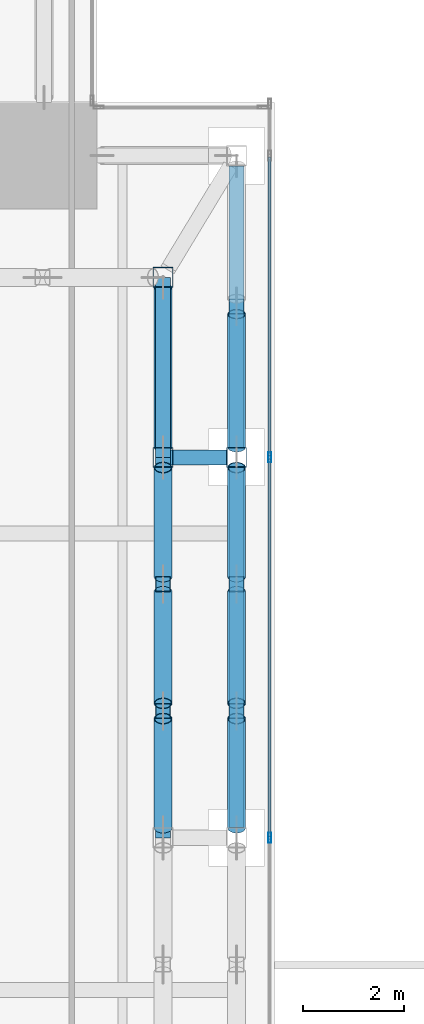
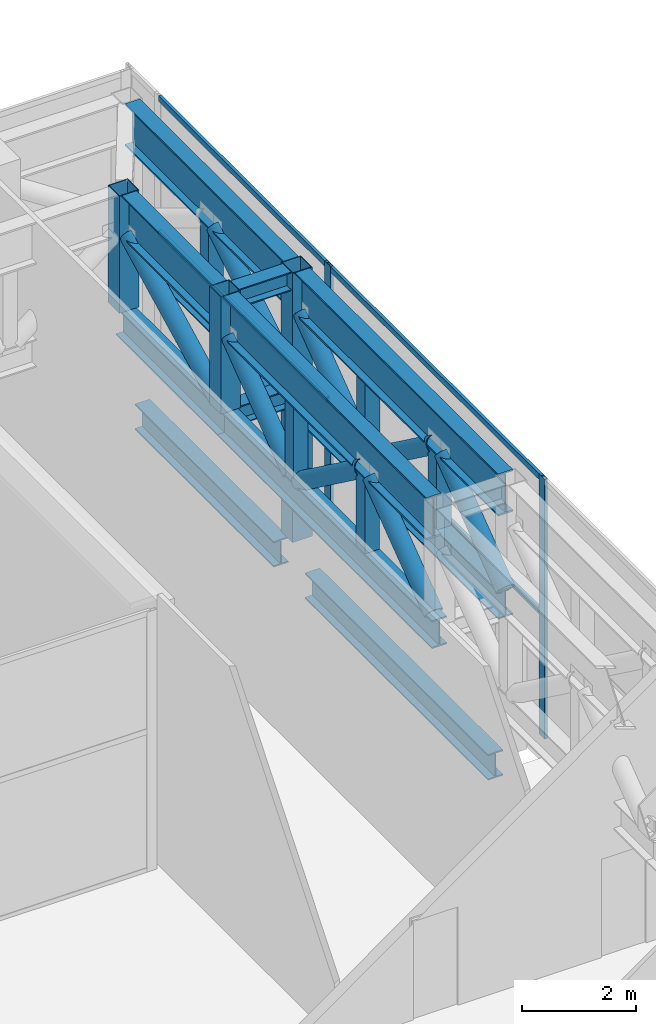
# One storey, part 27 of 47: 30 members, 4 beams, 1 element without a shape of its own.
"""IFC4 building model written with IfcOpenShell, lengths in metres."""

from ifc_helpers import new_model, si_unit, direction, frame, origin, origin_2d, place, context, subcontext, project, spatial, hollow_rectangle, hollow_circle, i_section, extrude, source, transform, mapped, material, material_profile, profile_set, type_object, element, aggregate, save


model = new_model("IFC4")

# Units and contexts
model_context = context("Model", 3, precision=1e-05, world=origin(), true_north=direction((0.0, 1.0)))
body_context = subcontext(model_context, "Body", "Model", "MODEL_VIEW")
ifc_project = project(units=[si_unit("LENGTHUNIT", "METRE"), si_unit("AREAUNIT", "SQUARE_METRE"), si_unit("VOLUMEUNIT", "CUBIC_METRE"), si_unit("PLANEANGLEUNIT", "RADIAN"), si_unit("MASSUNIT", "GRAM", prefix="KILO")], contexts=[model_context])

# Site, building, storey
site_placement = place(None, origin())
site = spatial("IfcSite", under=ifc_project, at=site_placement, CompositionType="ELEMENT")
building_placement = place(site_placement, origin())
building = spatial("IfcBuilding", under=site, at=building_placement, Name="Khomas Fold Tower", CompositionType="ELEMENT")
storey_placement = place(building_placement, frame((0.0, 0.0, 158.699951171875)))
storey = spatial("IfcBuildingStorey", under=building, at=storey_placement, Name="L34", CompositionType="ELEMENT", Elevation=158.699951171875)

# Beams
ifc_material_1 = material(Name="Steel S355", Category="steel")
ifc_material_profile_1 = material_profile(ifc_material_1, i_section(OverallWidth=0.300048828125, OverallDepth=0.550048828125, WebThickness=0.014892578125, FlangeThickness=0.029052734375, at=origin_2d()), Name="HE 550 B")
ifc_profile_set_1 = profile_set([ifc_material_profile_1], Name="Steel S355")
beam_type_1 = type_object("IfcBeamType", Name="HE 550 B spandrel SB2", PredefinedType="SPANDREL", material=ifc_profile_set_1)
shared_shape_1 = source(origin(), body_context, "Body", "SweptSolid", [
    extrude(i_section(OverallWidth=0.300048828125, OverallDepth=0.550048828125, WebThickness=0.014892578125, FlangeThickness=0.029052734375, at=origin_2d()), origin(), (0.0, 0.0, 1.0), 4.849853515625),
])
beam_1_placement = place(storey_placement, frame((51.75, 42.550048828125, -0.724853515625), z_axis=(0.0, 1.0, 0.0), x_axis=(-1.0, 0.0, 0.0)))
element("IfcBeam", 1, at=beam_1_placement, inside=storey, type_object=beam_type_1, Name="SB2", PredefinedType="SPANDREL", context=body_context, shape_type="MappedRepresentation", body=[
    mapped(shared_shape_1, transform((0.0, 0.0, 0.0))),
])
shared_shape_2 = source(origin(), body_context, "Body", "SweptSolid", [
    extrude(i_section(OverallWidth=0.300048828125, OverallDepth=0.550048828125, WebThickness=0.014892578125, FlangeThickness=0.029052734375, at=origin_2d()), origin(), (0.0, 0.0, 1.0), 6.39990234375),
])
beam_2_placement = place(storey_placement, frame((51.75, 35.050048828125, -0.724853515625), z_axis=(0.0, 1.0, 0.0), x_axis=(-1.0, 0.0, 0.0)))
element("IfcBeam", 2, at=beam_2_placement, inside=storey, type_object=beam_type_1, Name="SB2", PredefinedType="SPANDREL", context=body_context, shape_type="MappedRepresentation", body=[
    mapped(shared_shape_2, transform((0.0, 0.0, 0.0))),
])

# Members
ifc_material_2 = material(Name="Steel S460M", Category="steel")
ifc_material_profile_2 = material_profile(ifc_material_2, i_section(OverallWidth=0.300048828125, OverallDepth=0.89990234375, WebThickness=0.0185546875, FlangeThickness=0.034912109375, at=origin_2d()), Name="HE 900 B")
ifc_profile_set_2 = profile_set([ifc_material_profile_2], Name="Steel S460M")
member_type_1 = type_object("IfcMemberType", Name="BELT TRUSS 2 TOP CHORD HE 900 B", PredefinedType="CHORD", material=ifc_profile_set_2)
shared_shape_3 = source(origin(), body_context, "Body", "SweptSolid", [
    extrude(i_section(OverallWidth=0.300048828125, OverallDepth=0.89990234375, WebThickness=0.0185546875, FlangeThickness=0.034912109375, at=origin_2d()), origin(), (0.0, 0.0, 1.0), 5.550048828125),
])
member_1_placement = place(storey_placement, frame((51.75, 42.199951171875, 5.300048828125), z_axis=(0.0, 1.0, 0.0), x_axis=(-1.0, 0.0, 0.0)))
element("IfcMember", 3, at=member_1_placement, inside=storey, type_object=member_type_1, Name="BT2-CT", PredefinedType="CHORD", context=body_context, shape_type="MappedRepresentation", body=[
    mapped(shared_shape_3, transform((0.0, 0.0, 0.0))),
])
ifc_material_3 = material(Name="Steel S355", Category="steel")
ifc_material_profile_3 = material_profile(ifc_material_3, i_section(OverallWidth=0.300048828125, OverallDepth=0.60009765625, WebThickness=0.015380859375, FlangeThickness=0.030029296875, at=origin_2d()), Name="HE 600 B")
ifc_profile_set_3 = profile_set([ifc_material_profile_3], Name="Steel S355")
member_type_2 = type_object("IfcMemberType", Name="BELT TRUSS 2 BOTTOM CHORD SHORT HE 600 B", PredefinedType="CHORD", material=ifc_profile_set_3)
shared_shape_4 = source(origin(), body_context, "Body", "SweptSolid", [
    extrude(i_section(OverallWidth=0.300048828125, OverallDepth=0.60009765625, WebThickness=0.015380859375, FlangeThickness=0.030029296875, at=origin_2d()), origin(), (0.0, 0.0, 1.0), 5.550048828125),
])
member_2_placement = place(storey_placement, frame((51.75, 42.199951171875, 2.949951171875), z_axis=(0.0, 1.0, 0.0), x_axis=(-1.0, 0.0, 0.0)))
element("IfcMember", 4, at=member_2_placement, inside=storey, type_object=member_type_2, Name="BT2-CBS", PredefinedType="CHORD", context=body_context, shape_type="MappedRepresentation", body=[
    mapped(shared_shape_4, transform((0.0, 0.0, 0.0))),
])
ifc_material_4 = material(Name="Steel S355", Category="steel")
ifc_material_profile_4 = material_profile(ifc_material_4, hollow_circle(Radius=0.177734375, WallThickness=0.01611328125, at=origin_2d()), Name="CHS 355.6x16")
ifc_profile_set_4 = profile_set([ifc_material_profile_4], Name="Steel S355")
member_type_3 = type_object("IfcMemberType", Name="BELT TRUSS 2 DIAGONAL CHS 355.6x16", PredefinedType="BRACE", material=ifc_profile_set_4)
shared_shape_5 = source(origin(), body_context, "Body", "SweptSolid", [
    extrude(hollow_circle(Radius=0.177734375, WallThickness=0.01611328125, at=origin_2d()), origin(), (0.0, 0.0, 1.0), 3.079345703125),
])
member_3_placement = place(storey_placement, frame((51.75, 42.199951171875, 3.2451171875), z_axis=(0.0, 0.852457646083, 0.522796290762), x_axis=(-1.0, 0.0, 0.0)))
element("IfcMember", 5, at=member_3_placement, inside=storey, type_object=member_type_3, Name="BT2-D", PredefinedType="BRACE", context=body_context, shape_type="MappedRepresentation", body=[
    mapped(shared_shape_5, transform((0.0, 0.0, 0.0))),
])
ifc_material_5 = material(Name="Steel S355", Category="steel")
ifc_material_profile_5 = material_profile(ifc_material_5, hollow_rectangle(XDim=0.300048828125, YDim=0.300048828125, WallThickness=0.012451171875, at=origin_2d()), Name="SHS 300x300x12.5")
ifc_profile_set_5 = profile_set([ifc_material_profile_5], Name="Steel S355")
member_type_4 = type_object("IfcMemberType", Name="BELT TRUSS 2 MID POST SHS 300x300x12.5", PredefinedType="POST", material=ifc_profile_set_5)
shared_shape_6 = source(origin(), body_context, "Body", "SweptSolid", [
    extrude(hollow_rectangle(XDim=0.300048828125, YDim=0.300048828125, WallThickness=0.012451171875, at=origin_2d()), origin(), (0.0, 0.0, 1.0), 1.60009765625),
])
for number, where, z_axis, x_axis, name in (
    (6, (51.75, 37.0, 3.25), (0.0, 0.0, 1.0), (1.0, 0.0, 0.0), "BT2-M"),
    (7, (51.75, 39.5, 3.25), (0.0, 0.0, 1.0), (1.0, 0.0, 0.0), "BT2-M"),
    (8, (51.75, 44.97509765625, 3.25), (0.0, 0.0, 1.0), (1.0, 0.0, 0.0), "BT2-M"),
    (9, (50.300048828125, 37.0, 3.25), (0.0, 0.0, 1.0), (1.0, 0.0, 0.0), "BT2-M"),
    (10, (50.300048828125, 39.5, 3.25), (0.0, 0.0, 1.0), (1.0, 0.0, 0.0), "BT2-M"),
):
    element("IfcMember", number, at=place(storey_placement, frame(where, z_axis=z_axis, x_axis=x_axis)), inside=storey, type_object=member_type_4, Name=name, PredefinedType="POST", context=body_context, shape_type="MappedRepresentation", body=[
        mapped(shared_shape_6, transform((0.0, 0.0, 0.0))),
    ])
shared_shape_7 = source(origin(), body_context, "Body", "SweptSolid", [
    extrude(i_section(OverallWidth=0.300048828125, OverallDepth=0.89990234375, WebThickness=0.0185546875, FlangeThickness=0.034912109375, at=origin_2d()), origin(), (0.0, 0.0, 1.0), 7.10009765625),
])
for number, where, z_axis, x_axis, name in (
    (11, (51.75, 34.699951171875, 5.300048828125), (0.0, 1.0, 0.0), (-1.0, 0.0, 0.0), "BT2-CT"),
    (12, (50.300048828125, 34.699951171875, 5.300048828125), (0.0, 1.0, 0.0), (-1.0, 0.0, 0.0), "BT2-CT"),
):
    element("IfcMember", number, at=place(storey_placement, frame(where, z_axis=z_axis, x_axis=x_axis)), inside=storey, type_object=member_type_1, Name=name, PredefinedType="CHORD", context=body_context, shape_type="MappedRepresentation", body=[
        mapped(shared_shape_7, transform((0.0, 0.0, 0.0))),
    ])
ifc_material_6 = material(Name="Steel S355", Category="steel")
ifc_material_profile_6 = material_profile(ifc_material_6, i_section(OverallWidth=0.300048828125, OverallDepth=0.60009765625, WebThickness=0.015380859375, FlangeThickness=0.030029296875, at=origin_2d()), Name="HE 600 B")
ifc_profile_set_6 = profile_set([ifc_material_profile_6], Name="Steel S355")
member_type_5 = type_object("IfcMemberType", Name="BELT TRUSS 2 BOTTOM CHORD HE 600 B", PredefinedType="CHORD", material=ifc_profile_set_6)
shared_shape_8 = source(origin(), body_context, "Body", "SweptSolid", [
    extrude(i_section(OverallWidth=0.300048828125, OverallDepth=0.60009765625, WebThickness=0.015380859375, FlangeThickness=0.030029296875, at=origin_2d()), origin(), (0.0, 0.0, 1.0), 7.10009765625),
])
member_4_placement = place(storey_placement, frame((51.75, 34.699951171875, 2.949951171875), z_axis=(0.0, 1.0, 0.0), x_axis=(-1.0, 0.0, 0.0)))
element("IfcMember", 13, at=member_4_placement, inside=storey, type_object=member_type_5, Name="BT2-CB", PredefinedType="CHORD", context=body_context, shape_type="MappedRepresentation", body=[
    mapped(shared_shape_8, transform((0.0, 0.0, 0.0))),
])
shared_shape_9 = source(origin(), body_context, "Body", "SweptSolid", [
    extrude(hollow_circle(Radius=0.177734375, WallThickness=0.01611328125, at=origin_2d()), origin(), (0.0, 0.0, 1.0), 2.68603515625),
])
for number, where, z_axis, x_axis, name in (
    (14, (51.75, 34.699951171875, 3.2451171875), (0.0, 0.800490552016, 0.599345372998), (-1.0, 0.0, 0.0), "BT2-D"),
    (15, (51.75, 39.64990234375, 3.2451171875), (0.0, 0.800490552016, 0.599345372998), (-1.0, 0.0, 0.0), "BT2-D"),
    (16, (50.300048828125, 34.699951171875, 3.2451171875), (0.0, 0.800490552016, 0.599345372998), (-1.0, 0.0, 0.0), "BT2-D"),
    (17, (50.300048828125, 39.64990234375, 3.2451171875), (0.0, 0.800490552016, 0.599345372998), (-1.0, 0.0, 0.0), "BT2-D"),
):
    element("IfcMember", number, at=place(storey_placement, frame(where, z_axis=z_axis, x_axis=x_axis)), inside=storey, type_object=member_type_3, Name=name, PredefinedType="BRACE", context=body_context, shape_type="MappedRepresentation", body=[
        mapped(shared_shape_9, transform((0.0, 0.0, 0.0))),
    ])
shared_shape_10 = source(origin(), body_context, "Body", "SweptSolid", [
    extrude(hollow_circle(Radius=0.177734375, WallThickness=0.01611328125, at=origin_2d()), origin(), (0.0, 0.0, 1.0), 2.726318359375),
])
for number, where, z_axis, x_axis, name in (
    (18, (51.75, 37.14990234375, 4.85498046875), (0.0, 0.80703657096, -0.590501459044), (-1.0, 0.0, 0.0), "BT2-D"),
    (19, (50.300048828125, 37.14990234375, 4.85498046875), (0.0, 0.80703657096, -0.590501459044), (-1.0, 0.0, 0.0), "BT2-D"),
):
    element("IfcMember", number, at=place(storey_placement, frame(where, z_axis=z_axis, x_axis=x_axis)), inside=storey, type_object=member_type_3, Name=name, PredefinedType="BRACE", context=body_context, shape_type="MappedRepresentation", body=[
        mapped(shared_shape_10, transform((0.0, 0.0, 0.0))),
    ])
ifc_material_7 = material(Name="Steel S460M", Category="steel")
ifc_material_profile_7 = material_profile(ifc_material_7, i_section(OverallWidth=0.300048828125, OverallDepth=0.89990234375, WebThickness=0.0185546875, FlangeThickness=0.034912109375, at=origin_2d()), Name="HE 900 B")
ifc_profile_set_7 = profile_set([ifc_material_profile_7], Name="Steel S460M")
member_type_6 = type_object("IfcMemberType", Name="BELT TRUSS 2 TOP CHORD SHORT HE 900 B", PredefinedType="CHORD", material=ifc_profile_set_7)
shared_shape_11 = source(origin(), body_context, "Body", "SweptSolid", [
    extrude(i_section(OverallWidth=0.300048828125, OverallDepth=0.89990234375, WebThickness=0.0185546875, FlangeThickness=0.034912109375, at=origin_2d()), origin(), (0.0, 0.0, 1.0), 3.150146484375),
])
member_5_placement = place(storey_placement, frame((50.300048828125, 42.199951171875, 5.300048828125), z_axis=(0.0, 1.0, 0.0), x_axis=(-1.0, 0.0, 0.0)))
element("IfcMember", 20, at=member_5_placement, inside=storey, type_object=member_type_6, Name="BT2-CTS", PredefinedType="CHORD", context=body_context, shape_type="MappedRepresentation", body=[
    mapped(shared_shape_11, transform((0.0, 0.0, 0.0))),
])
shared_shape_12 = source(origin(), body_context, "Body", "SweptSolid", [
    extrude(hollow_circle(Radius=0.177734375, WallThickness=0.01611328125, at=origin_2d()), origin(), (0.0, 0.0, 1.0), 3.53759765625),
])
member_6_placement = place(storey_placement, frame((50.300048828125, 42.199951171875, 3.2451171875), z_axis=(0.0, 0.890458918819, 0.455063637193), x_axis=(-1.0, 0.0, 0.0)))
element("IfcMember", 21, at=member_6_placement, inside=storey, type_object=member_type_3, Name="BT2-D", PredefinedType="BRACE", context=body_context, shape_type="MappedRepresentation", body=[
    mapped(shared_shape_12, transform((0.0, 0.0, 0.0))),
])
shared_shape_13 = source(origin(), body_context, "Body", "SweptSolid", [
    extrude(i_section(OverallWidth=0.300048828125, OverallDepth=0.60009765625, WebThickness=0.015380859375, FlangeThickness=0.030029296875, at=origin_2d()), origin(), (0.0, 0.0, 1.0), 7.5),
])
member_7_placement = place(storey_placement, frame((50.300048828125, 34.5, 2.949951171875), z_axis=(0.0, 1.0, 0.0), x_axis=(-1.0, 0.0, 0.0)))
element("IfcMember", 22, at=member_7_placement, inside=storey, type_object=member_type_5, Name="BT2-CB", PredefinedType="CHORD", context=body_context, shape_type="MappedRepresentation", body=[
    mapped(shared_shape_13, transform((0.0, 0.0, 0.0))),
])
ifc_material_8 = material(Name="Steel S355", Category="steel")
ifc_material_profile_8 = material_profile(ifc_material_8, i_section(OverallWidth=0.300048828125, OverallDepth=0.60009765625, WebThickness=0.015380859375, FlangeThickness=0.030029296875, at=origin_2d()), Name="HE 600 B")
ifc_profile_set_8 = profile_set([ifc_material_profile_8], Name="Steel S355")
member_type_7 = type_object("IfcMemberType", Name="BELT TRUSS 2 BOTTOM CHORD SHORTER HE 600 B", PredefinedType="CHORD", material=ifc_profile_set_8)
shared_shape_14 = source(origin(), body_context, "Body", "SweptSolid", [
    extrude(i_section(OverallWidth=0.300048828125, OverallDepth=0.60009765625, WebThickness=0.015380859375, FlangeThickness=0.030029296875, at=origin_2d()), origin(), (0.0, 0.0, 1.0), 3.550048828125),
])
member_8_placement = place(storey_placement, frame((50.300048828125, 42.0, 2.949951171875), z_axis=(0.0, 1.0, 0.0), x_axis=(-1.0, 0.0, 0.0)))
element("IfcMember", 23, at=member_8_placement, inside=storey, type_object=member_type_7, Name="BT2-CBSS", PredefinedType="CHORD", context=body_context, shape_type="MappedRepresentation", body=[
    mapped(shared_shape_14, transform((0.0, 0.0, 0.0))),
])
ifc_material_9 = material(Name="Steel S460M", Category="steel")
ifc_material_profile_9 = material_profile(ifc_material_9, hollow_rectangle(XDim=0.39990234375, YDim=0.39990234375, WallThickness=0.01611328125, at=origin_2d()), Name="SHS 400x400x16")
ifc_profile_set_9 = profile_set([ifc_material_profile_9], Name="Steel S460M")
member_type_8 = type_object("IfcMemberType", Name="BELT TRUSS 2 COLUMN POST SHS 400x400x16", PredefinedType="POST", material=ifc_profile_set_9)
shared_shape_15 = source(origin(), body_context, "Body", "SweptSolid", [
    extrude(hollow_rectangle(XDim=0.39990234375, YDim=0.39990234375, WallThickness=0.01611328125, at=origin_2d()), origin(), (0.0, 0.0, 1.0), 5.75),
])
member_9_placement = place(storey_placement, frame((51.75, 42.0, 0.0), z_axis=(0.0, 0.0, 1.0), x_axis=(1.0, 0.0, 0.0)))
element("IfcMember", 24, at=member_9_placement, inside=storey, type_object=member_type_8, Name="BT2-P", PredefinedType="POST", context=body_context, shape_type="MappedRepresentation", body=[
    mapped(shared_shape_15, transform((0.0, 0.0, 0.0))),
])
ifc_material_10 = material(Name="Steel S460M", Category="steel")
ifc_material_profile_10 = material_profile(ifc_material_10, hollow_rectangle(XDim=0.39990234375, YDim=0.39990234375, WallThickness=0.01611328125, at=origin_2d()), Name="SHS 400x400x16")
ifc_profile_set_10 = profile_set([ifc_material_profile_10], Name="Steel S460M")
member_type_9 = type_object("IfcMemberType", Name="BELT TRUSS 2 COLUMN POST SHORT SHS 400x400x16", PredefinedType="POST", material=ifc_profile_set_10)
shared_shape_16 = source(origin(), body_context, "Body", "SweptSolid", [
    extrude(hollow_rectangle(XDim=0.39990234375, YDim=0.39990234375, WallThickness=0.01611328125, at=origin_2d()), origin(), (0.0, 0.0, 1.0), 2.5),
])
for number, where, z_axis, x_axis, name in (
    (25, (50.300048828125, 42.0, 3.25), (0.0, 0.0, 1.0), (1.0, 0.0, 0.0), "BT2-PS"),
    (26, (50.300048828125, 45.550048828125, 3.25), (0.0, 0.0, 1.0), (1.0, 0.0, 0.0), "BT2-PS"),
):
    element("IfcMember", number, at=place(storey_placement, frame(where, z_axis=z_axis, x_axis=x_axis)), inside=storey, type_object=member_type_9, Name=name, PredefinedType="POST", context=body_context, shape_type="MappedRepresentation", body=[
        mapped(shared_shape_16, transform((0.0, 0.0, 0.0))),
    ])

# Beams
ifc_material_11 = material(Name="Steel S355", Category="steel")
ifc_material_profile_11 = material_profile(ifc_material_11, i_section(OverallWidth=0.300048828125, OverallDepth=0.39990234375, WebThickness=0.013427734375, FlangeThickness=0.02392578125, at=origin_2d()), Name="HE 400 B")
ifc_profile_set_11 = profile_set([ifc_material_profile_11], Name="Steel S355")
beam_type_2 = type_object("IfcBeamType", Name="BELT TRUSS 2 TOP STRUT HE 400 B", PredefinedType="BEAM", material=ifc_profile_set_11)
shared_shape_17 = source(origin(), body_context, "Body", "SweptSolid", [
    extrude(i_section(OverallWidth=0.300048828125, OverallDepth=0.39990234375, WebThickness=0.013427734375, FlangeThickness=0.02392578125, at=origin_2d()), origin(), (0.0, 0.0, 1.0), 1.050048828125),
])
beam_3_placement = place(storey_placement, frame((50.5, 42.0, 5.550048828125), z_axis=(1.0, 0.0, 0.0), x_axis=(0.0, 1.0, 0.0)))
element("IfcBeam", 27, at=beam_3_placement, inside=storey, type_object=beam_type_2, Name="BT2-ST", PredefinedType="BEAM", context=body_context, shape_type="MappedRepresentation", body=[
    mapped(shared_shape_17, transform((0.0, 0.0, 0.0))),
])
ifc_material_12 = material(Name="Steel S355", Category="steel")
ifc_material_profile_12 = material_profile(ifc_material_12, i_section(OverallWidth=0.300048828125, OverallDepth=0.39990234375, WebThickness=0.013427734375, FlangeThickness=0.02392578125, at=origin_2d()), Name="HE 400 B")
ifc_profile_set_12 = profile_set([ifc_material_profile_12], Name="Steel S355")
beam_type_3 = type_object("IfcBeamType", Name="BELT TRUSS 2 BOTTOM STRUT HE 400 B", PredefinedType="BEAM", material=ifc_profile_set_12)
shared_shape_18 = source(origin(), body_context, "Body", "SweptSolid", [
    extrude(i_section(OverallWidth=0.300048828125, OverallDepth=0.39990234375, WebThickness=0.013427734375, FlangeThickness=0.02392578125, at=origin_2d()), origin(), (0.0, 0.0, 1.0), 1.10009765625),
])
beam_4_placement = place(storey_placement, frame((50.449951171875, 42.0, 3.050048828125), z_axis=(1.0, 0.0, 0.0), x_axis=(0.0, 1.0, 0.0)))
element("IfcBeam", 28, at=beam_4_placement, inside=storey, type_object=beam_type_3, Name="BT2-SB", PredefinedType="BEAM", context=body_context, shape_type="MappedRepresentation", body=[
    mapped(shared_shape_18, transform((0.0, 0.0, 0.0))),
])

# Curtain wall, members
ifc_material_13 = material(Name="Aluminium framed double glazing", Category="aluminium")
curtain_wall_type = type_object("IfcCurtainWallType", Name="SK-Unitised clear-glass wall, growing floors CW1", PredefinedType="NOTDEFINED", material=ifc_material_13)
curtain_wall_placement = place(storey_placement, origin())
curtain_wall = element("IfcCurtainWall", 29, at=curtain_wall_placement, inside=storey, type_object=curtain_wall_type, Name="CW1 run L34 08-0", PredefinedType="NOTDEFINED")
ifc_material_14 = material(Name="Aluminium", Category="aluminium")
ifc_material_profile_13 = material_profile(ifc_material_14, hollow_rectangle(XDim=0.06005859375, YDim=0.1201171875, WallThickness=0.00390625, at=origin_2d()), Name="SK-Unitised clear-glass wall, growing floors transom CW1-T")
ifc_profile_set_13 = profile_set([ifc_material_profile_13], Name="Aluminium")
member_type_10 = type_object("IfcMemberType", Name="SK-Unitised clear-glass wall, growing floors transom CW1-T", PredefinedType="USERDEFINED", material=ifc_profile_set_13)
shared_shape_19 = source(origin(), body_context, "Body", "SweptSolid", [
    extrude(hollow_rectangle(XDim=0.06005859375, YDim=0.1201171875, WallThickness=0.00390625, at=origin_2d()), origin(), (0.0, 0.0, 1.0), 7.43994140625),
])
member_10_placement = place(storey_placement, frame((52.39990234375, 34.530029296875, 5.489990234375), z_axis=(0.0, 1.0, 0.0), x_axis=(-1.0, 0.0, 0.0)))
member_10 = element("IfcMember", 30, at=member_10_placement, type_object=member_type_10, Name="CW1 transom 6", ObjectType="TRANSOM", PredefinedType="USERDEFINED", context=body_context, shape_type="MappedRepresentation", body=[
    mapped(shared_shape_19, transform((0.0, 0.0, 0.0))),
])
member_11_placement = place(storey_placement, frame((52.39990234375, 34.530029296875, 2.6171875), z_axis=(0.0, 1.0, 0.0), x_axis=(-1.0, 0.0, 0.0)))
member_11 = element("IfcMember", 31, at=member_11_placement, type_object=member_type_10, Name="CW1 transom 6 (truss floor)", ObjectType="TRANSOM", PredefinedType="USERDEFINED", context=body_context, shape_type="MappedRepresentation", body=[
    mapped(shared_shape_19, transform((0.0, 0.0, 0.0))),
])
shared_shape_20 = source(origin(), body_context, "Body", "SweptSolid", [
    extrude(hollow_rectangle(XDim=0.06005859375, YDim=0.1201171875, WallThickness=0.00390625, at=origin_2d()), origin(), (0.0, 0.0, 1.0), 5.889892578125),
])
member_12_placement = place(storey_placement, frame((52.39990234375, 42.030029296875, 5.489990234375), z_axis=(0.0, 1.0, 0.0), x_axis=(-1.0, 0.0, 0.0)))
member_12 = element("IfcMember", 32, at=member_12_placement, type_object=member_type_10, Name="CW1 transom 7", ObjectType="TRANSOM", PredefinedType="USERDEFINED", context=body_context, shape_type="MappedRepresentation", body=[
    mapped(shared_shape_20, transform((0.0, 0.0, 0.0))),
])
member_13_placement = place(storey_placement, frame((52.39990234375, 42.030029296875, 2.6171875), z_axis=(0.0, 1.0, 0.0), x_axis=(-1.0, 0.0, 0.0)))
member_13 = element("IfcMember", 33, at=member_13_placement, type_object=member_type_10, Name="CW1 transom 7 (truss floor)", ObjectType="TRANSOM", PredefinedType="USERDEFINED", context=body_context, shape_type="MappedRepresentation", body=[
    mapped(shared_shape_20, transform((0.0, 0.0, 0.0))),
])
ifc_material_15 = material(Name="Aluminium", Category="aluminium")
ifc_material_profile_14 = material_profile(ifc_material_15, hollow_rectangle(XDim=0.06005859375, YDim=0.199951171875, WallThickness=0.00390625, at=origin_2d()), Name="SK-Unitised clear-glass wall, growing floors mullion CW1-M")
ifc_profile_set_14 = profile_set([ifc_material_profile_14], Name="Aluminium")
member_type_11 = type_object("IfcMemberType", Name="SK-Unitised clear-glass wall, growing floors mullion CW1-M", PredefinedType="MULLION", material=ifc_profile_set_14)
shared_shape_21 = source(origin(), body_context, "Body", "SweptSolid", [
    extrude(hollow_rectangle(XDim=0.06005859375, YDim=0.199951171875, WallThickness=0.00390625, at=origin_2d()), origin(), (0.0, 0.0, 1.0), 5.550048828125),
])
member_14_placement = place(storey_placement, frame((52.39990234375, 34.5, 0.0), z_axis=(0.0, 0.0, 1.0), x_axis=(-1.0, 0.0, 0.0)))
member_14 = element("IfcMember", 34, at=member_14_placement, type_object=member_type_11, Name="CW1 mullion 6", PredefinedType="MULLION", context=body_context, shape_type="MappedRepresentation", body=[
    mapped(shared_shape_21, transform((0.0, 0.0, 0.0))),
])
member_15_placement = place(storey_placement, frame((52.39990234375, 42.0, 0.0), z_axis=(0.0, 0.0, 1.0), x_axis=(-1.0, 0.0, 0.0)))
member_15 = element("IfcMember", 35, at=member_15_placement, type_object=member_type_11, Name="CW1 mullion 7", PredefinedType="MULLION", context=body_context, shape_type="MappedRepresentation", body=[
    mapped(shared_shape_21, transform((0.0, 0.0, 0.0))),
])
aggregate(curtain_wall, [member_14, member_15, member_10, member_11, member_12, member_13])

save(model, "model.ifc")
